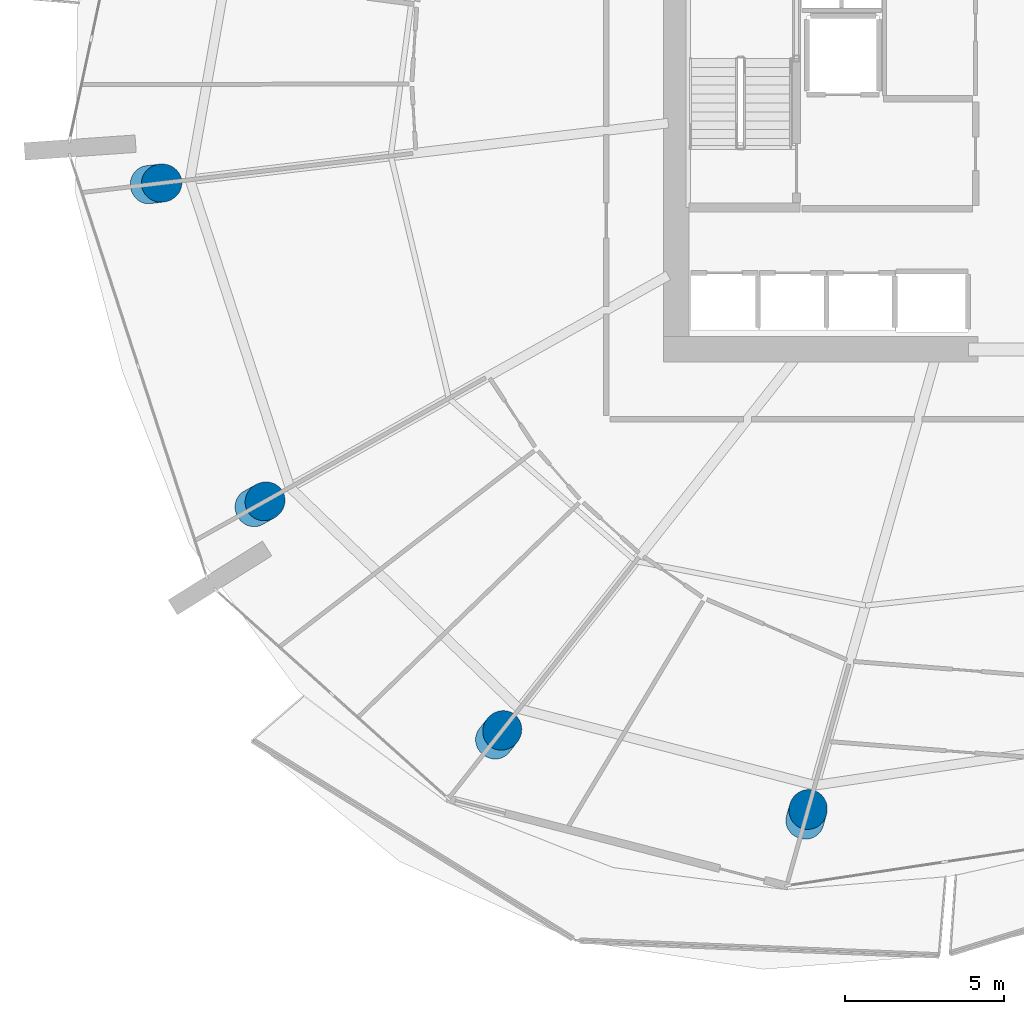
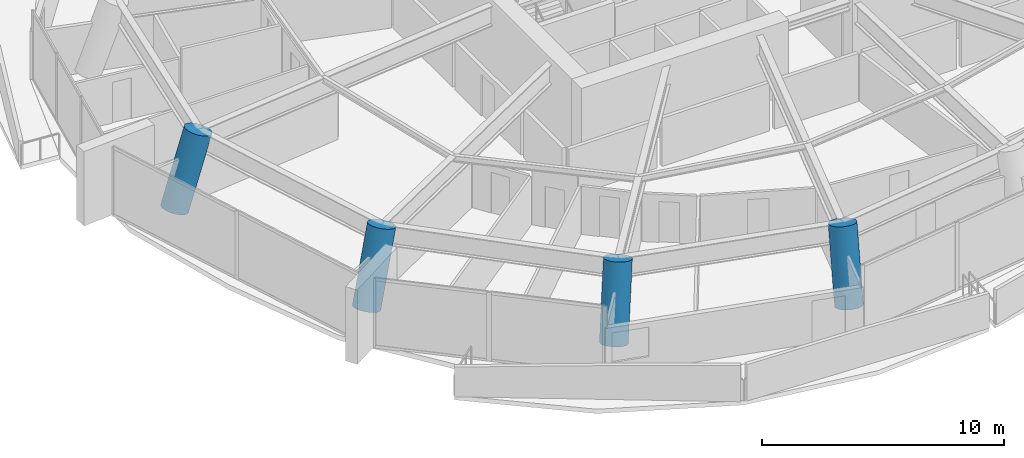
# One storey, part 1 of 23: 4 columns.
"""IFC4 building model written with IfcOpenShell, lengths in metres."""

from ifc_helpers import new_model, si_unit, direction, frame, origin, origin_2d, place, context, subcontext, project, spatial, circle, extrude, material, material_profile, profile_set, type_object, element, save


model = new_model("IFC4")

# Units and contexts
model_context = context("Model", 3, precision=1e-05, world=origin(), true_north=direction((0.0, 1.0)))
body_context = subcontext(model_context, "Body", "Model", "MODEL_VIEW")
ifc_project = project(units=[si_unit("LENGTHUNIT", "METRE"), si_unit("AREAUNIT", "SQUARE_METRE"), si_unit("VOLUMEUNIT", "CUBIC_METRE"), si_unit("PLANEANGLEUNIT", "RADIAN"), si_unit("MASSUNIT", "GRAM", prefix="KILO")], contexts=[model_context])

# Site, building, storey
site_placement = place(None, origin())
site = spatial("IfcSite", under=ifc_project, at=site_placement, CompositionType="ELEMENT")
building_placement = place(site_placement, origin())
building = spatial("IfcBuilding", under=site, at=building_placement, Name="Kazma Halo Residences", CompositionType="ELEMENT")
storey_placement = place(building_placement, frame((0.0, 0.0, 112.64990234375)))
storey = spatial("IfcBuildingStorey", under=building, at=storey_placement, Name="L28", CompositionType="ELEMENT", Elevation=112.64990234375)

# Columns
ifc_material = material(Name="Concrete C80/95", Category="concrete")
ifc_material_profile = material_profile(ifc_material, circle(Radius=0.60009765625, at=origin_2d()), Name="CIRC1200")
ifc_profile_set = profile_set([ifc_material_profile], Name="Concrete C80/95")
column_type = type_object("IfcColumnType", Name="COL-PERIM-1200", PredefinedType="COLUMN", material=ifc_profile_set)
for number, where, z_axis, x_axis, name in (
    (1, (20.79345703125, 38.77978515625, 0.0), (0.329335891795, 0.039026502293, 0.943405958479), (-0.117677249874, 0.993051894345, 0.0), "L28 perimeter ring column P08"),
    (2, (24.0966796875, 28.613525390625, 0.0), (0.289376505588, 0.162077391433, 0.943393956521), (-0.488664302037, 0.872471890616, 0.0), "L28 perimeter ring column P09"),
):
    element("IfcColumn", number, at=place(storey_placement, frame(where, z_axis=z_axis, x_axis=x_axis)), inside=storey, type_object=column_type, Name=name, PredefinedType="COLUMN", context=body_context, shape_type="SweptSolid", body=[
        extrude(circle(Radius=0.60009765625, at=origin_2d()), origin(), (0.0, 0.0, 1.0), 3.678466796875),
    ])
column_1_placement = place(storey_placement, frame((31.676513671875, 21.293701171875, 0.0), z_axis=(0.198457488994, 0.251703806559, 0.947237994818), x_axis=(-0.785271109582, 0.619152068926, 0.0)))
element("IfcColumn", 3, at=column_1_placement, inside=storey, type_object=column_type, Name="L28 perimeter ring column P10", PredefinedType="COLUMN", context=body_context, shape_type="SweptSolid", body=[
    extrude(circle(Radius=0.60009765625, at=origin_2d()), origin(), (0.0, 0.0, 1.0), 3.66357421875),
])
column_2_placement = place(storey_placement, frame((41.447265625, 18.765869140625, 0.0), z_axis=(0.080372181919, 0.284864280229, 0.955192469727), x_axis=(-0.962426857869, 0.271541052609, 0.0)))
element("IfcColumn", 4, at=column_2_placement, inside=storey, type_object=column_type, Name="L28 perimeter ring column P11", PredefinedType="COLUMN", context=body_context, shape_type="SweptSolid", body=[
    extrude(circle(Radius=0.60009765625, at=origin_2d()), origin(), (0.0, 0.0, 1.0), 3.633056640625),
])

save(model, "model.ifc")
